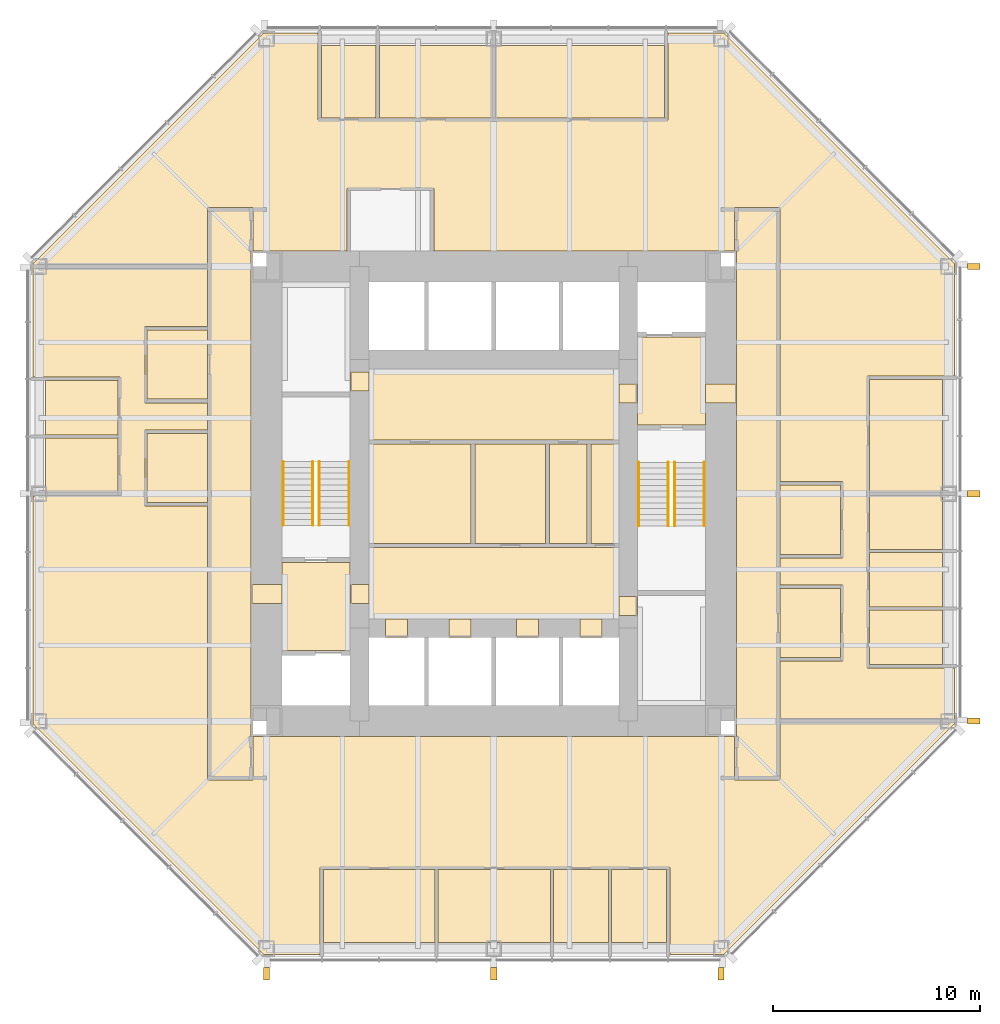
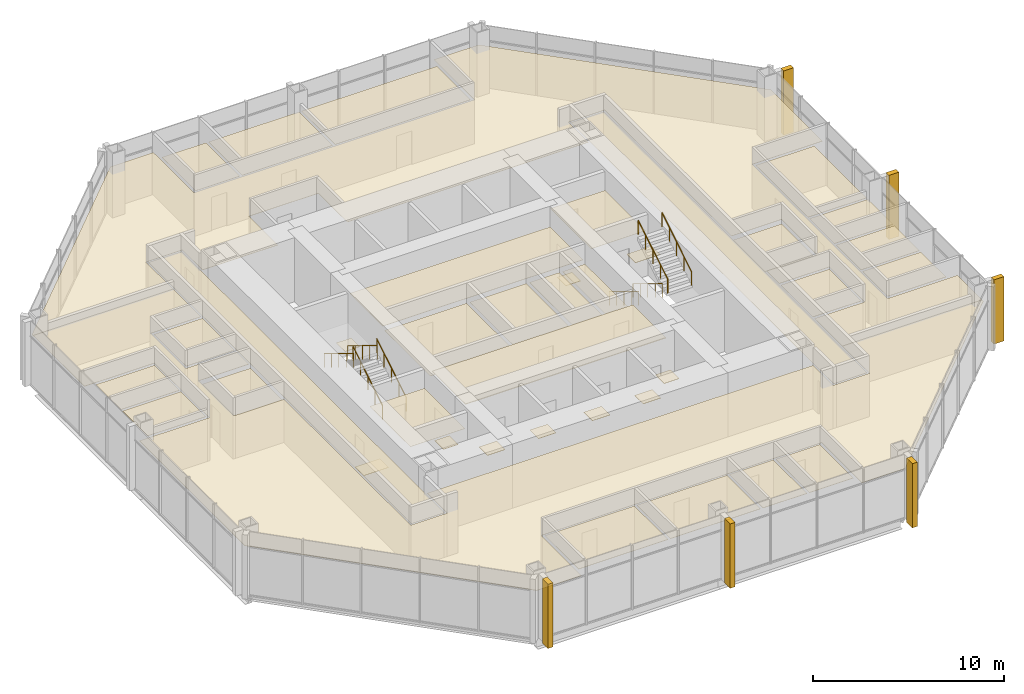
# One storey, part 12 of 12: 45 coverings, 8 railings.
"""IFC4 building model written with IfcOpenShell, lengths in metres."""

from ifc_helpers import new_model, si_unit, direction, frame, origin, origin_2d, place, context, subcontext, project, spatial, polyline, rectangle, circle, outline, extrude, material, layer, layer_set, type_object, element, save


model = new_model("IFC4")

# Units and contexts
model_context = context("Model", 3, precision=1e-05, world=origin(), true_north=direction((0.0, 1.0)))
body_context = subcontext(model_context, "Body", "Model", "MODEL_VIEW")
ifc_project = project(units=[si_unit("LENGTHUNIT", "METRE"), si_unit("AREAUNIT", "SQUARE_METRE"), si_unit("VOLUMEUNIT", "CUBIC_METRE"), si_unit("PLANEANGLEUNIT", "RADIAN"), si_unit("MASSUNIT", "GRAM", prefix="KILO")], contexts=[model_context])

# Site, building, storey
site_placement = place(None, origin())
site = spatial("IfcSite", under=ifc_project, at=site_placement, CompositionType="ELEMENT")
building_placement = place(site_placement, origin())
building = spatial("IfcBuilding", under=site, at=building_placement, Name="Trevanion Tower", CompositionType="ELEMENT")
storey_placement = place(building_placement, frame((0.0, 0.0, 145.89990234375)))
storey = spatial("IfcBuildingStorey", under=building, at=storey_placement, Name="L34", CompositionType="ELEMENT", Elevation=145.89990234375)

# Coverings
ifc_material_1 = material(Name="Fibrous plaster coffers on suspended steel grid", Category="steel")
ifc_layer_1 = layer(ifc_material_1, 0.050048828125)
ifc_layer_set_1 = layer_set([ifc_layer_1], Name="CL1 coffered fibrous plaster ceiling 50")
covering_type_1 = type_object("IfcCoveringType", Name="CL1 coffered fibrous plaster ceiling 50", PredefinedType="CEILING", material=ifc_layer_set_1)
covering_1_placement = place(storey_placement, frame((0.0, 0.0, 3.0)))
element("IfcCovering", 1, at=covering_1_placement, inside=storey, type_object=covering_type_1, Name="CL1 L34-LBS", PredefinedType="CEILING", context=body_context, shape_type="SweptSolid", body=[
    extrude(outline(polyline([(6.050048828125, -6.050048828125), (6.050048828125, -2.60009765625), (-6.050048828125, -2.60009765625), (-6.050048828125, -6.050048828125), (6.050048828125, -6.050048828125)])), origin(), (0.0, 0.0, 1.0), 0.050048828125),
])
ifc_material_2 = material(Name="Mineral fibre acoustic tiles in exposed grid", Category="mineral fibre")
ifc_layer_2 = layer(ifc_material_2, 0.02001953125)
ifc_layer_set_2 = layer_set([ifc_layer_2], Name="CL2 acoustic tile ceiling 20")
covering_type_2 = type_object("IfcCoveringType", Name="CL2 acoustic tile ceiling 20", PredefinedType="CEILING", material=ifc_layer_set_2)
covering_2_placement = place(storey_placement, frame((0.0, 0.0, 2.75)))
element("IfcCovering", 2, at=covering_2_placement, inside=storey, type_object=covering_type_2, Name="CL2 L34-LBN", PredefinedType="CEILING", context=body_context, shape_type="SweptSolid", body=[
    extrude(outline(polyline([(6.050048828125, 2.60009765625), (6.050048828125, 6.050048828125), (-6.050048828125, 6.050048828125), (-6.050048828125, 2.60009765625), (6.050048828125, 2.60009765625)])), origin(), (0.0, 0.0, 1.0), 0.02001953125),
])
covering_3_placement = place(storey_placement, frame((0.0, 0.0, 2.75)))
element("IfcCovering", 3, at=covering_3_placement, inside=storey, type_object=covering_type_2, Name="CL2 L34-CO1", PredefinedType="CEILING", context=body_context, shape_type="SweptSolid", body=[
    extrude(outline(polyline([(-11.75, 13.75), (-11.75, -13.75), (-13.75, -13.75), (-13.75, 13.75), (-11.75, 13.75)])), origin(), (0.0, 0.0, 1.0), 0.02001953125),
])
covering_4_placement = place(storey_placement, frame((0.0, 0.0, 2.75)))
element("IfcCovering", 4, at=covering_4_placement, inside=storey, type_object=covering_type_2, Name="CL2 L34-CO2", PredefinedType="CEILING", context=body_context, shape_type="SweptSolid", body=[
    extrude(outline(polyline([(11.75, 13.75), (13.75, 13.75), (13.75, -13.75), (11.75, -13.75), (11.75, 13.75)])), origin(), (0.0, 0.0, 1.0), 0.02001953125),
])
covering_5_placement = place(storey_placement, frame((0.0, 0.0, 2.75)))
element("IfcCovering", 5, at=covering_5_placement, inside=storey, type_object=covering_type_2, Name="CL2 L34-BR", PredefinedType="CEILING", context=body_context, shape_type="SweptSolid", body=[
    extrude(outline(polyline([(8.248046875, 18.175048828125), (0.074951171875, 18.175048828125), (0.074951171875, 21.699951171875), (8.248046875, 21.699951171875), (8.248046875, 18.175048828125)])), origin(), (0.0, 0.0, 1.0), 0.02001953125),
])
covering_6_placement = place(storey_placement, frame((0.0, 0.0, 2.75)))
element("IfcCovering", 6, at=covering_6_placement, inside=storey, type_object=covering_type_2, Name="CL2 L34-MR", PredefinedType="CEILING", context=body_context, shape_type="SweptSolid", body=[
    extrude(outline(polyline([(-0.074951171875, 18.175048828125), (-5.5390625, 18.175048828125), (-5.5390625, 21.699951171875), (-0.074951171875, 21.699951171875), (-0.074951171875, 18.175048828125)])), origin(), (0.0, 0.0, 1.0), 0.02001953125),
])
covering_7_placement = place(storey_placement, frame((0.0, 0.0, 2.75)))
element("IfcCovering", 7, at=covering_7_placement, inside=storey, type_object=covering_type_2, Name="CL2 L34-OF", PredefinedType="CEILING", context=body_context, shape_type="SweptSolid", body=[
    extrude(outline(polyline([(-5.68896484375, 18.175048828125), (-8.345947265625, 18.175048828125), (-8.345947265625, 21.699951171875), (-5.68896484375, 21.699951171875), (-5.68896484375, 18.175048828125)])), origin(), (0.0, 0.0, 1.0), 0.02001953125),
])
covering_8_placement = place(storey_placement, frame((0.0, 0.0, 2.75)))
element("IfcCovering", 8, at=covering_8_placement, inside=storey, type_object=covering_type_2, Name="CL2 L34-MR2", PredefinedType="CEILING", context=body_context, shape_type="SweptSolid", body=[
    extrude(outline(polyline([(-8.248046875, -18.175048828125), (-2.85009765625, -18.175048828125), (-2.85009765625, -21.699951171875), (-8.248046875, -21.699951171875), (-8.248046875, -18.175048828125)])), origin(), (0.0, 0.0, 1.0), 0.02001953125),
])
covering_9_placement = place(storey_placement, frame((0.0, 0.0, 2.75)))
element("IfcCovering", 9, at=covering_9_placement, inside=storey, type_object=covering_type_2, Name="CL2 L34-MR3", PredefinedType="CEILING", context=body_context, shape_type="SweptSolid", body=[
    extrude(outline(polyline([(-2.699951171875, -18.175048828125), (2.73193359375, -18.175048828125), (2.73193359375, -21.699951171875), (-2.699951171875, -21.699951171875), (-2.699951171875, -18.175048828125)])), origin(), (0.0, 0.0, 1.0), 0.02001953125),
])
covering_10_placement = place(storey_placement, frame((0.0, 0.0, 2.75)))
element("IfcCovering", 10, at=covering_10_placement, inside=storey, type_object=covering_type_2, Name="CL2 L34-OF2", PredefinedType="CEILING", context=body_context, shape_type="SweptSolid", body=[
    extrude(outline(polyline([(2.882080078125, -18.175048828125), (5.5390625, -18.175048828125), (5.5390625, -21.699951171875), (2.882080078125, -21.699951171875), (2.882080078125, -18.175048828125)])), origin(), (0.0, 0.0, 1.0), 0.02001953125),
])
covering_11_placement = place(storey_placement, frame((0.0, 0.0, 2.75)))
element("IfcCovering", 11, at=covering_11_placement, inside=storey, type_object=covering_type_2, Name="CL2 L34-OF3", PredefinedType="CEILING", context=body_context, shape_type="SweptSolid", body=[
    extrude(outline(polyline([(5.68896484375, -18.175048828125), (8.345947265625, -18.175048828125), (8.345947265625, -21.699951171875), (5.68896484375, -21.699951171875), (5.68896484375, -18.175048828125)])), origin(), (0.0, 0.0, 1.0), 0.02001953125),
])
covering_12_placement = place(storey_placement, frame((0.0, 0.0, 2.75)))
element("IfcCovering", 12, at=covering_12_placement, inside=storey, type_object=covering_type_2, Name="CL2 L34-OF4", PredefinedType="CEILING", context=body_context, shape_type="SweptSolid", body=[
    extrude(outline(polyline([(18.175048828125, -8.248046875), (18.175048828125, -5.6240234375), (21.699951171875, -5.6240234375), (21.699951171875, -8.248046875), (18.175048828125, -8.248046875)])), origin(), (0.0, 0.0, 1.0), 0.02001953125),
])
covering_13_placement = place(storey_placement, frame((0.0, 0.0, 2.75)))
element("IfcCovering", 13, at=covering_13_placement, inside=storey, type_object=covering_type_2, Name="CL2 L34-OF5", PredefinedType="CEILING", context=body_context, shape_type="SweptSolid", body=[
    extrude(outline(polyline([(18.175048828125, -5.47412109375), (18.175048828125, -2.85009765625), (21.699951171875, -2.85009765625), (21.699951171875, -5.47412109375), (18.175048828125, -5.47412109375)])), origin(), (0.0, 0.0, 1.0), 0.02001953125),
])
covering_14_placement = place(storey_placement, frame((0.0, 0.0, 2.75)))
element("IfcCovering", 14, at=covering_14_placement, inside=storey, type_object=covering_type_2, Name="CL2 L34-OF6", PredefinedType="CEILING", context=body_context, shape_type="SweptSolid", body=[
    extrude(outline(polyline([(18.175048828125, -2.699951171875), (18.175048828125, -0.074951171875), (21.699951171875, -0.074951171875), (21.699951171875, -2.699951171875), (18.175048828125, -2.699951171875)])), origin(), (0.0, 0.0, 1.0), 0.02001953125),
])
covering_15_placement = place(storey_placement, frame((0.0, 0.0, 2.75)))
element("IfcCovering", 15, at=covering_15_placement, inside=storey, type_object=covering_type_2, Name="CL2 L34-MR4", PredefinedType="CEILING", context=body_context, shape_type="SweptSolid", body=[
    extrude(outline(polyline([(18.175048828125, 0.074951171875), (18.175048828125, 5.5390625), (21.699951171875, 5.5390625), (21.699951171875, 0.074951171875), (18.175048828125, 0.074951171875)])), origin(), (0.0, 0.0, 1.0), 0.02001953125),
])
covering_16_placement = place(storey_placement, frame((0.0, 0.0, 2.75)))
element("IfcCovering", 16, at=covering_16_placement, inside=storey, type_object=covering_type_2, Name="CL2 L34-OF7", PredefinedType="CEILING", context=body_context, shape_type="SweptSolid", body=[
    extrude(outline(polyline([(-18.175048828125, 5.47412109375), (-18.175048828125, 2.85009765625), (-21.699951171875, 2.85009765625), (-21.699951171875, 5.47412109375), (-18.175048828125, 5.47412109375)])), origin(), (0.0, 0.0, 1.0), 0.02001953125),
])
covering_17_placement = place(storey_placement, frame((0.0, 0.0, 2.75)))
element("IfcCovering", 17, at=covering_17_placement, inside=storey, type_object=covering_type_2, Name="CL2 L34-OF8", PredefinedType="CEILING", context=body_context, shape_type="SweptSolid", body=[
    extrude(outline(polyline([(-18.175048828125, 2.699951171875), (-18.175048828125, 0.074951171875), (-21.699951171875, 0.074951171875), (-21.699951171875, 2.699951171875), (-18.175048828125, 2.699951171875)])), origin(), (0.0, 0.0, 1.0), 0.02001953125),
])
covering_18_placement = place(storey_placement, frame((0.0, 0.0, 2.75)))
element("IfcCovering", 18, at=covering_18_placement, inside=storey, type_object=covering_type_2, Name="CL2 L34-RC", PredefinedType="CEILING", context=body_context, shape_type="SweptSolid", body=[
    extrude(outline(polyline([(13.85009765625, -7.925048828125), (13.85009765625, -4.574951171875), (16.77490234375, -4.574951171875), (16.77490234375, -7.925048828125), (13.85009765625, -7.925048828125)])), origin(), (0.0, 0.0, 1.0), 0.02001953125),
])
covering_19_placement = place(storey_placement, frame((0.0, 0.0, 2.75)))
element("IfcCovering", 19, at=covering_19_placement, inside=storey, type_object=covering_type_2, Name="CL2 L34-RC2", PredefinedType="CEILING", context=body_context, shape_type="SweptSolid", body=[
    extrude(outline(polyline([(-13.85009765625, 7.925048828125), (-13.85009765625, 4.574951171875), (-16.77490234375, 4.574951171875), (-16.77490234375, 7.925048828125), (-13.85009765625, 7.925048828125)])), origin(), (0.0, 0.0, 1.0), 0.02001953125),
])
covering_20_placement = place(storey_placement, frame((0.0, 0.0, 2.75)))
element("IfcCovering", 20, at=covering_20_placement, inside=storey, type_object=covering_type_2, Name="CL2 L34-OP", PredefinedType="CEILING", context=body_context, shape_type="SweptSolid", body=[
    extrude(outline(polyline([(11.64990234375, 13.85009765625), (11.64990234375, 11.75), (-2.905029296875, 11.75), (-2.905029296875, 14.77001953125), (-7.094970703125, 14.77001953125), (-7.094970703125, 11.75), (-11.64990234375, 11.75), (-11.64990234375, 13.85009765625), (-13.85009765625, 13.85009765625), (-13.85009765625, 11.0), (-22.300048828125, 11.0), (-22.300048828125, 11.124267578125), (-11.124267578125, 22.300048828125), (-8.51611328125, 22.300048828125), (-8.51611328125, 18.080078125), (8.41796875, 18.080078125), (8.41796875, 22.300048828125), (11.124267578125, 22.300048828125), (22.300048828125, 11.124267578125), (22.300048828125, 5.708984375), (18.080078125, 5.708984375), (18.080078125, -8.41796875), (22.300048828125, -8.41796875), (22.300048828125, -11.0), (13.85009765625, -11.0), (13.85009765625, -8.094970703125), (16.8701171875, -8.094970703125), (16.8701171875, -4.405029296875), (13.85009765625, -4.405029296875), (13.85009765625, -3.094970703125), (16.8701171875, -3.094970703125), (16.8701171875, 0.594970703125), (13.85009765625, 0.594970703125), (13.85009765625, 13.85009765625), (11.64990234375, 13.85009765625)])), origin(), (0.0, 0.0, 1.0), 0.02001953125),
])
covering_21_placement = place(storey_placement, frame((0.0, 0.0, 2.75)))
element("IfcCovering", 21, at=covering_21_placement, inside=storey, type_object=covering_type_2, Name="CL2 L34-OP2", PredefinedType="CEILING", context=body_context, shape_type="SweptSolid", body=[
    extrude(outline(polyline([(11.64990234375, -13.85009765625), (13.85009765625, -13.85009765625), (13.85009765625, -11.0), (22.300048828125, -11.0), (22.300048828125, -11.124267578125), (11.124267578125, -22.300048828125), (8.51611328125, -22.300048828125), (8.51611328125, -18.080078125), (-8.41796875, -18.080078125), (-8.41796875, -22.300048828125), (-11.124267578125, -22.300048828125), (-22.300048828125, -11.124267578125), (-22.300048828125, -0.094970703125), (-18.080078125, -0.094970703125), (-18.080078125, 5.64404296875), (-22.300048828125, 5.64404296875), (-22.300048828125, 11.0), (-13.85009765625, 11.0), (-13.85009765625, 8.094970703125), (-16.8701171875, 8.094970703125), (-16.8701171875, 4.405029296875), (-13.85009765625, 4.405029296875), (-13.85009765625, 3.094970703125), (-16.8701171875, 3.094970703125), (-16.8701171875, -0.594970703125), (-13.85009765625, -0.594970703125), (-13.85009765625, -13.85009765625), (-11.64990234375, -13.85009765625), (-11.64990234375, -11.75), (11.64990234375, -11.75), (11.64990234375, -13.85009765625)])), origin(), (0.0, 0.0, 1.0), 0.02001953125),
])
ifc_material_3 = material(Name="Gypsum plasterboard on suspended metal furring", Category="gypsum")
ifc_layer_3 = layer(ifc_material_3, 0.012939453125)
ifc_layer_set_3 = layer_set([ifc_layer_3], Name="CL3 plasterboard ceiling 13")
covering_type_3 = type_object("IfcCoveringType", Name="CL3 plasterboard ceiling 13", PredefinedType="CEILING", material=ifc_layer_set_3)
covering_22_placement = place(storey_placement, frame((0.0, 0.0, 2.7001953125)))
element("IfcCovering", 22, at=covering_22_placement, inside=storey, type_object=covering_type_3, Name="CL3 L34-FV1", PredefinedType="CEILING", context=body_context, shape_type="SweptSolid", body=[
    extrude(outline(polyline([(10.25, 3.324951171875), (10.25, 7.574951171875), (6.949951171875, 7.574951171875), (6.949951171875, 3.324951171875), (10.25, 3.324951171875)])), origin(), (0.0, 0.0, 1.0), 0.012939453125),
])
covering_23_placement = place(storey_placement, frame((0.0, 0.0, 2.7001953125)))
element("IfcCovering", 23, at=covering_23_placement, inside=storey, type_object=covering_type_3, Name="CL3 L34-FV2", PredefinedType="CEILING", context=body_context, shape_type="SweptSolid", body=[
    extrude(outline(polyline([(-10.25, -3.324951171875), (-10.25, -7.574951171875), (-6.949951171875, -7.574951171875), (-6.949951171875, -3.324951171875), (-10.25, -3.324951171875)])), origin(), (0.0, 0.0, 1.0), 0.012939453125),
])
ifc_material_4 = material(Name="Moisture-resistant gypsum board on suspended metal furring", Category="gypsum")
ifc_layer_4 = layer(ifc_material_4, 0.01611328125)
ifc_layer_set_4 = layer_set([ifc_layer_4], Name="CL4 moisture-resistant board ceiling 16")
covering_type_4 = type_object("IfcCoveringType", Name="CL4 moisture-resistant board ceiling 16", PredefinedType="CEILING", material=ifc_layer_set_4)
covering_24_placement = place(storey_placement, frame((0.0, 0.0, 2.60009765625)))
element("IfcCovering", 24, at=covering_24_placement, inside=storey, type_object=covering_type_4, Name="CL4 L34-WCM", PredefinedType="CEILING", context=body_context, shape_type="SweptSolid", body=[
    extrude(outline(polyline([(-1.10009765625, -2.39990234375), (-1.10009765625, 2.39990234375), (-6.050048828125, 2.39990234375), (-6.050048828125, -2.39990234375), (-1.10009765625, -2.39990234375)])), origin(), (0.0, 0.0, 1.0), 0.01611328125),
])
covering_25_placement = place(storey_placement, frame((0.0, 0.0, 2.60009765625)))
element("IfcCovering", 25, at=covering_25_placement, inside=storey, type_object=covering_type_4, Name="CL4 L34-WCF", PredefinedType="CEILING", context=body_context, shape_type="SweptSolid", body=[
    extrude(outline(polyline([(2.5, -2.39990234375), (2.5, 2.39990234375), (-0.89990234375, 2.39990234375), (-0.89990234375, -2.39990234375), (2.5, -2.39990234375)])), origin(), (0.0, 0.0, 1.0), 0.01611328125),
])
covering_26_placement = place(storey_placement, frame((0.0, 0.0, 2.60009765625)))
element("IfcCovering", 26, at=covering_26_placement, inside=storey, type_object=covering_type_4, Name="CL4 L34-WCA", PredefinedType="CEILING", context=body_context, shape_type="SweptSolid", body=[
    extrude(outline(polyline([(4.5, -2.39990234375), (4.5, 2.39990234375), (2.699951171875, 2.39990234375), (2.699951171875, -2.39990234375), (4.5, -2.39990234375)])), origin(), (0.0, 0.0, 1.0), 0.01611328125),
])
covering_27_placement = place(storey_placement, frame((0.0, 0.0, 2.60009765625)))
element("IfcCovering", 27, at=covering_27_placement, inside=storey, type_object=covering_type_4, Name="CL4 L34-SH", PredefinedType="CEILING", context=body_context, shape_type="SweptSolid", body=[
    extrude(outline(polyline([(6.050048828125, -2.39990234375), (6.050048828125, 2.39990234375), (4.699951171875, 2.39990234375), (4.699951171875, -2.39990234375), (6.050048828125, -2.39990234375)])), origin(), (0.0, 0.0, 1.0), 0.01611328125),
])
covering_28_placement = place(storey_placement, frame((0.0, 0.0, 2.60009765625)))
element("IfcCovering", 28, at=covering_28_placement, inside=storey, type_object=covering_type_4, Name="CL4 L34-PA", PredefinedType="CEILING", context=body_context, shape_type="SweptSolid", body=[
    extrude(outline(polyline([(13.85009765625, -2.925048828125), (13.85009765625, 0.425048828125), (16.77490234375, 0.425048828125), (16.77490234375, -2.925048828125), (13.85009765625, -2.925048828125)])), origin(), (0.0, 0.0, 1.0), 0.01611328125),
])
covering_29_placement = place(storey_placement, frame((0.0, 0.0, 2.60009765625)))
element("IfcCovering", 29, at=covering_29_placement, inside=storey, type_object=covering_type_4, Name="CL4 L34-PA2", PredefinedType="CEILING", context=body_context, shape_type="SweptSolid", body=[
    extrude(outline(polyline([(-13.85009765625, 2.925048828125), (-13.85009765625, -0.425048828125), (-16.77490234375, -0.425048828125), (-16.77490234375, 2.925048828125), (-13.85009765625, 2.925048828125)])), origin(), (0.0, 0.0, 1.0), 0.01611328125),
])
ifc_material_5 = material(Name="Cast bronze fin on aluminium carrier", Category="aluminium")
covering_type_5 = type_object("IfcCoveringType", Name="F1 bronze fin", PredefinedType="CLADDING", material=ifc_material_5)
for number, where, z_axis, x_axis, name in (
    (30, (23.22509765625, -11.0, -0.18994140625), (0.0, 0.0, 1.0), (0.0, 1.0, 0.0), "F1 L34 east -11.0"),
    (31, (23.22509765625, 0.0, -0.18994140625), (0.0, 0.0, 1.0), (0.0, 1.0, 0.0), "F1 L34 east +0.0"),
    (32, (23.22509765625, 11.0, -0.18994140625), (0.0, 0.0, 1.0), (0.0, 1.0, 0.0), "F1 L34 east +11.0"),
    (33, (-11.0, -23.22509765625, -0.18994140625), (0.0, 0.0, 1.0), (1.0, 0.0, 0.0), "F1 L34 south -11.0"),
    (34, (0.0, -23.22509765625, -0.18994140625), (0.0, 0.0, 1.0), (1.0, 0.0, 0.0), "F1 L34 south +0.0"),
    (35, (11.0, -23.22509765625, -0.18994140625), (0.0, 0.0, 1.0), (1.0, 0.0, 0.0), "F1 L34 south +11.0"),
):
    element("IfcCovering", number, at=place(storey_placement, frame(where, z_axis=z_axis, x_axis=x_axis)), inside=storey, type_object=covering_type_5, Name=name, PredefinedType="CLADDING", context=body_context, shape_type="SweptSolid", body=[
        extrude(rectangle(XDim=0.300048828125, YDim=0.60009765625, at=origin_2d()), origin(), (0.0, 0.0, 1.0), 4.10009765625),
    ])
ifc_material_6 = material(Name="Terrazzo, brass divider strips", Category="stone")
ifc_layer_5 = layer(ifc_material_6, 0.02001953125)
ifc_layer_set_5 = layer_set([ifc_layer_5], Name="FF1 terrazzo flooring")
covering_type_6 = type_object("IfcCoveringType", Name="FF1 terrazzo flooring", PredefinedType="FLOORING", material=ifc_layer_set_5)
covering_30_placement = place(storey_placement, origin())
element("IfcCovering", 36, at=covering_30_placement, inside=storey, type_object=covering_type_6, Name="FF1 threshold 34-001", PredefinedType="FLOORING", context=body_context, shape_type="SweptSolid", body=[
    extrude(outline(polyline([(11.75, 4.392578125), (11.75, 5.3076171875), (10.25, 5.3076171875), (10.25, 4.392578125), (11.75, 4.392578125)])), origin(), (0.0, 0.0, 1.0), 0.02001953125),
])
covering_31_placement = place(storey_placement, origin())
element("IfcCovering", 37, at=covering_31_placement, inside=storey, type_object=covering_type_6, Name="FF1 threshold 34-002", PredefinedType="FLOORING", context=body_context, shape_type="SweptSolid", body=[
    extrude(outline(polyline([(-11.75, -4.392578125), (-11.75, -5.3076171875), (-10.25, -5.3076171875), (-10.25, -4.392578125), (-11.75, -4.392578125)])), origin(), (0.0, 0.0, 1.0), 0.02001953125),
])
covering_32_placement = place(storey_placement, origin())
element("IfcCovering", 38, at=covering_32_placement, inside=storey, type_object=covering_type_6, Name="FF1 threshold 34-003", PredefinedType="FLOORING", context=body_context, shape_type="SweptSolid", body=[
    extrude(outline(polyline([(6.949951171875, 4.392578125), (6.949951171875, 5.3076171875), (6.050048828125, 5.3076171875), (6.050048828125, 4.392578125), (6.949951171875, 4.392578125)])), origin(), (0.0, 0.0, 1.0), 0.02001953125),
])
covering_33_placement = place(storey_placement, origin())
element("IfcCovering", 39, at=covering_33_placement, inside=storey, type_object=covering_type_6, Name="FF1 threshold 34-004", PredefinedType="FLOORING", context=body_context, shape_type="SweptSolid", body=[
    extrude(outline(polyline([(-6.949951171875, -4.392578125), (-6.949951171875, -5.3076171875), (-6.050048828125, -5.3076171875), (-6.050048828125, -4.392578125), (-6.949951171875, -4.392578125)])), origin(), (0.0, 0.0, 1.0), 0.02001953125),
])
covering_34_placement = place(storey_placement, origin())
element("IfcCovering", 40, at=covering_34_placement, inside=storey, type_object=covering_type_6, Name="FF1 threshold 34-009", PredefinedType="FLOORING", context=body_context, shape_type="SweptSolid", body=[
    extrude(outline(polyline([(6.949951171875, -5.889892578125), (6.949951171875, -4.97509765625), (6.050048828125, -4.97509765625), (6.050048828125, -5.889892578125), (6.949951171875, -5.889892578125)])), origin(), (0.0, 0.0, 1.0), 0.02001953125),
])
covering_35_placement = place(storey_placement, origin())
element("IfcCovering", 41, at=covering_35_placement, inside=storey, type_object=covering_type_6, Name="FF1 threshold 34-010", PredefinedType="FLOORING", context=body_context, shape_type="SweptSolid", body=[
    extrude(outline(polyline([(-6.949951171875, 5.889892578125), (-6.949951171875, 4.97509765625), (-6.050048828125, 4.97509765625), (-6.050048828125, 5.889892578125), (-6.949951171875, 5.889892578125)])), origin(), (0.0, 0.0, 1.0), 0.02001953125),
])
covering_36_placement = place(storey_placement, origin())
element("IfcCovering", 42, at=covering_36_placement, inside=storey, type_object=covering_type_6, Name="FF1 threshold 34-011", PredefinedType="FLOORING", context=body_context, shape_type="SweptSolid", body=[
    extrude(outline(polyline([(-5.2333984375, -6.949951171875), (-4.16650390625, -6.949951171875), (-4.16650390625, -6.050048828125), (-5.2333984375, -6.050048828125), (-5.2333984375, -6.949951171875)])), origin(), (0.0, 0.0, 1.0), 0.02001953125),
])
covering_37_placement = place(storey_placement, origin())
element("IfcCovering", 43, at=covering_37_placement, inside=storey, type_object=covering_type_6, Name="FF1 threshold 34-012", PredefinedType="FLOORING", context=body_context, shape_type="SweptSolid", body=[
    extrude(outline(polyline([(-2.158447265625, -6.949951171875), (-1.091552734375, -6.949951171875), (-1.091552734375, -6.050048828125), (-2.158447265625, -6.050048828125), (-2.158447265625, -6.949951171875)])), origin(), (0.0, 0.0, 1.0), 0.02001953125),
])
covering_38_placement = place(storey_placement, origin())
element("IfcCovering", 44, at=covering_38_placement, inside=storey, type_object=covering_type_6, Name="FF1 threshold 34-013", PredefinedType="FLOORING", context=body_context, shape_type="SweptSolid", body=[
    extrude(outline(polyline([(1.091552734375, -6.949951171875), (2.158447265625, -6.949951171875), (2.158447265625, -6.050048828125), (1.091552734375, -6.050048828125), (1.091552734375, -6.949951171875)])), origin(), (0.0, 0.0, 1.0), 0.02001953125),
])
covering_39_placement = place(storey_placement, origin())
element("IfcCovering", 45, at=covering_39_placement, inside=storey, type_object=covering_type_6, Name="FF1 threshold 34-014", PredefinedType="FLOORING", context=body_context, shape_type="SweptSolid", body=[
    extrude(outline(polyline([(4.16650390625, -6.949951171875), (5.2333984375, -6.949951171875), (5.2333984375, -6.050048828125), (4.16650390625, -6.050048828125), (4.16650390625, -6.949951171875)])), origin(), (0.0, 0.0, 1.0), 0.02001953125),
])

# Railings
ifc_material_7 = material(Name="Stainless steel tube 40 mm", Category="steel")
railing_type = type_object("IfcRailingType", Name="HR1 handrail", PredefinedType="HANDRAIL", material=ifc_material_7)
for number, where, name in (
    (46, (7.010009765625, 1.52490234375, 0.1708984375), "HR1 ST1 L34 flight 1"),
    (47, (8.43994140625, 1.52490234375, 0.1708984375), "HR1 ST1 L34 flight 1"),
):
    element("IfcRailing", number, at=place(storey_placement, frame(where)), inside=storey, type_object=railing_type, Name=name, PredefinedType="HANDRAIL", context=body_context, shape_type="SweptSolid", body=[
        extrude(circle(Radius=0.02001953125, at=origin_2d()), frame((0.0, 0.0, 0.8798828125), z_axis=(0.0, -0.853647949592, 0.520850437417), x_axis=(1.0, 0.0, 0.0)), (0.0, 0.0, 1.0), 3.60791015625),
        extrude(circle(Radius=0.01513671875, at=origin_2d()), origin(), (0.0, 0.0, 1.0), 0.85986328125),
        extrude(circle(Radius=0.01513671875, at=origin_2d()), frame((0.0, -0.77001953125, 0.4697265625)), (0.0, 0.0, 1.0), 0.85986328125),
        extrude(circle(Radius=0.01513671875, at=origin_2d()), frame((0.0, -1.5400390625, 0.939453125)), (0.0, 0.0, 1.0), 0.85986328125),
        extrude(circle(Radius=0.01513671875, at=origin_2d()), frame((0.0, -2.309814453125, 1.409423828125)), (0.0, 0.0, 1.0), 0.85986328125),
        extrude(circle(Radius=0.01513671875, at=origin_2d()), frame((0.0, -3.079833984375, 1.879150390625)), (0.0, 0.0, 1.0), 0.85986328125),
    ])
for number, where, name in (
    (48, (8.760009765625, -1.554931640625, 2.220947265625), "HR1 ST1 L34 flight 2"),
    (49, (10.18994140625, -1.554931640625, 2.220947265625), "HR1 ST1 L34 flight 2"),
    (50, (-7.010009765625, -1.52490234375, 0.1708984375), "HR1 ST2 L34 flight 1"),
    (51, (-8.43994140625, -1.52490234375, 0.1708984375), "HR1 ST2 L34 flight 1"),
):
    element("IfcRailing", number, at=place(storey_placement, frame(where)), inside=storey, type_object=railing_type, Name=name, PredefinedType="HANDRAIL", context=body_context, shape_type="SweptSolid", body=[
        extrude(circle(Radius=0.02001953125, at=origin_2d()), frame((0.0, 0.0, 0.8798828125), z_axis=(0.0, 0.853647949592, 0.520850437417), x_axis=(-1.0, 0.0, 0.0)), (0.0, 0.0, 1.0), 3.60791015625),
        extrude(circle(Radius=0.01513671875, at=origin_2d()), origin(), (0.0, 0.0, 1.0), 0.85986328125),
        extrude(circle(Radius=0.01513671875, at=origin_2d()), frame((0.0, 0.77001953125, 0.4697265625)), (0.0, 0.0, 1.0), 0.85986328125),
        extrude(circle(Radius=0.01513671875, at=origin_2d()), frame((0.0, 1.5400390625, 0.939453125)), (0.0, 0.0, 1.0), 0.85986328125),
        extrude(circle(Radius=0.01513671875, at=origin_2d()), frame((0.0, 2.309814453125, 1.409423828125)), (0.0, 0.0, 1.0), 0.85986328125),
        extrude(circle(Radius=0.01513671875, at=origin_2d()), frame((0.0, 3.079833984375, 1.879150390625)), (0.0, 0.0, 1.0), 0.85986328125),
    ])
for number, where, name in (
    (52, (-8.760009765625, 1.554931640625, 2.220947265625), "HR1 ST2 L34 flight 2"),
    (53, (-10.18994140625, 1.554931640625, 2.220947265625), "HR1 ST2 L34 flight 2"),
):
    element("IfcRailing", number, at=place(storey_placement, frame(where)), inside=storey, type_object=railing_type, Name=name, PredefinedType="HANDRAIL", context=body_context, shape_type="SweptSolid", body=[
        extrude(circle(Radius=0.02001953125, at=origin_2d()), frame((0.0, 0.0, 0.8798828125), z_axis=(0.0, -0.853647949592, 0.520850437417), x_axis=(1.0, 0.0, 0.0)), (0.0, 0.0, 1.0), 3.60791015625),
        extrude(circle(Radius=0.01513671875, at=origin_2d()), origin(), (0.0, 0.0, 1.0), 0.85986328125),
        extrude(circle(Radius=0.01513671875, at=origin_2d()), frame((0.0, -0.77001953125, 0.4697265625)), (0.0, 0.0, 1.0), 0.85986328125),
        extrude(circle(Radius=0.01513671875, at=origin_2d()), frame((0.0, -1.5400390625, 0.939453125)), (0.0, 0.0, 1.0), 0.85986328125),
        extrude(circle(Radius=0.01513671875, at=origin_2d()), frame((0.0, -2.309814453125, 1.409423828125)), (0.0, 0.0, 1.0), 0.85986328125),
        extrude(circle(Radius=0.01513671875, at=origin_2d()), frame((0.0, -3.079833984375, 1.879150390625)), (0.0, 0.0, 1.0), 0.85986328125),
    ])

save(model, "model.ifc")
